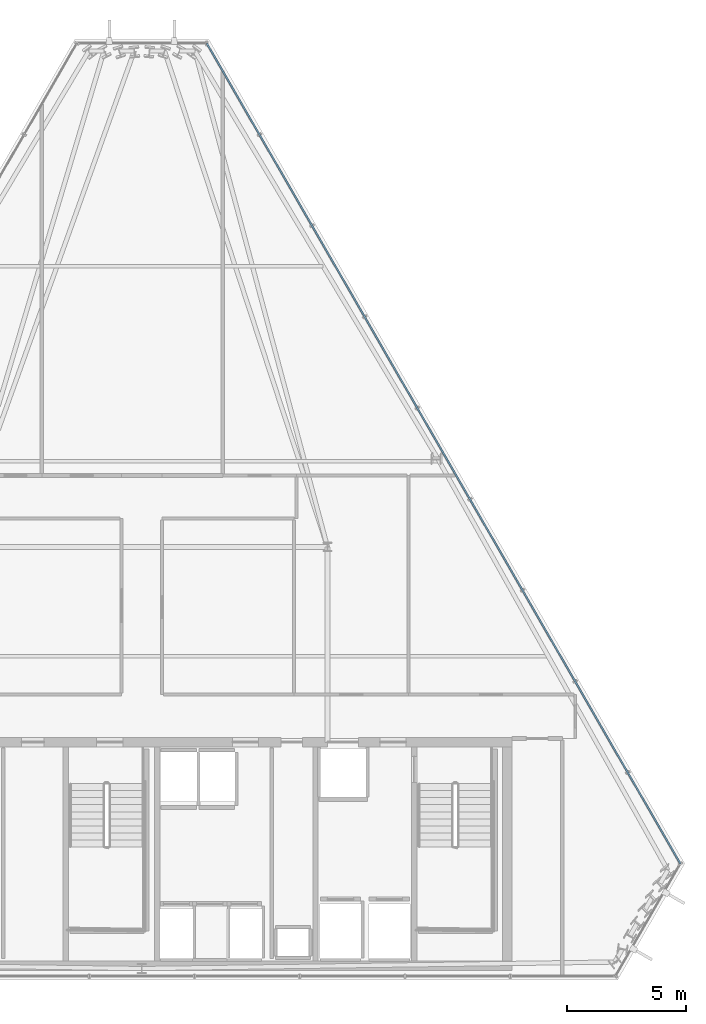
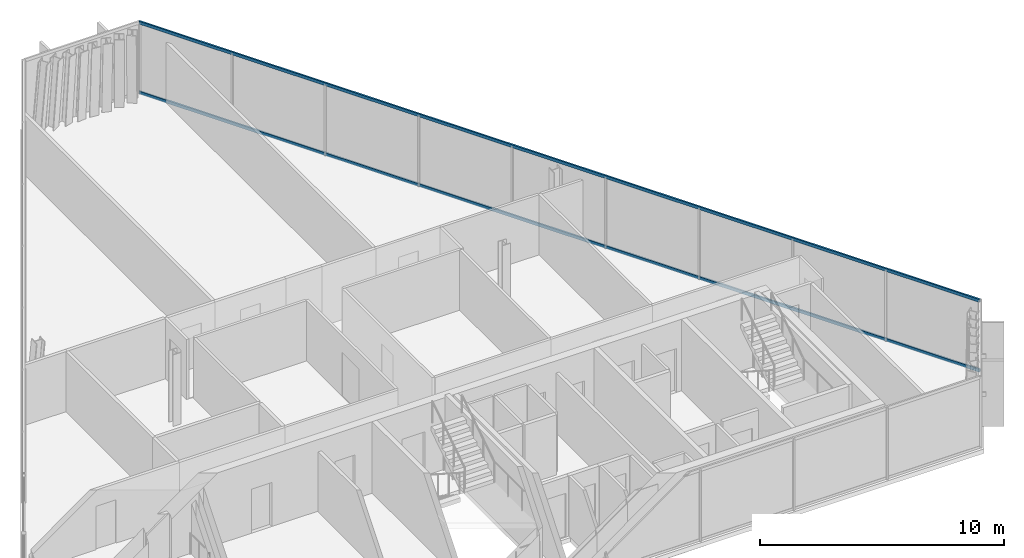
# One storey, part 25 of 34: 2 members, 1 element without a shape of its own.
"""IFC4 building model written with IfcOpenShell, lengths in metres."""

from ifc_helpers import new_model, si_unit, direction, frame, origin, origin_2d, place, context, subcontext, project, spatial, hollow_rectangle, extrude, material, layer, layer_set, material_profile, profile_set, type_object, element, aggregate, save


model = new_model("IFC4")

# Units and contexts
model_context = context("Model", 3, precision=1e-05, world=origin(), true_north=direction((0.0, 1.0)))
body_context = subcontext(model_context, "Body", "Model", "MODEL_VIEW")
ifc_project = project(units=[si_unit("LENGTHUNIT", "METRE"), si_unit("AREAUNIT", "SQUARE_METRE"), si_unit("VOLUMEUNIT", "CUBIC_METRE"), si_unit("PLANEANGLEUNIT", "RADIAN"), si_unit("MASSUNIT", "GRAM", prefix="KILO")], contexts=[model_context])

# Site, building, storey
site_placement = place(None, origin())
site = spatial("IfcSite", under=ifc_project, at=site_placement, CompositionType="ELEMENT")
building_placement = place(site_placement, origin())
building = spatial("IfcBuilding", under=site, at=building_placement, Name="Ndaravel Arena Tower", CompositionType="ELEMENT")
storey_placement = place(building_placement, frame((0.0, 0.0, 267.39990234375)))
storey = spatial("IfcBuildingStorey", under=building, at=storey_placement, Name="L65", CompositionType="ELEMENT", Elevation=267.39990234375)

# Curtain wall, members
ifc_material_1 = material(Name="Aluminium", Category="aluminium")
ifc_layer = layer(ifc_material_1, 0.179931640625)
ifc_layer_set = layer_set([ifc_layer], Name="Aluminium")
curtain_wall_type = type_object("IfcCurtainWallType", Name="CW-SYS-03", PredefinedType="NOTDEFINED", material=ifc_layer_set)
curtain_wall_placement = place(storey_placement, origin())
curtain_wall = element("IfcCurtainWall", 1, at=curtain_wall_placement, inside=storey, type_object=curtain_wall_type, Name="L65 Faceted Crystal Curtain Wall CW-L65-E03", PredefinedType="NOTDEFINED")
ifc_material_2 = material(Name="Aluminium", Category="aluminium")
ifc_material_profile = material_profile(ifc_material_2, hollow_rectangle(XDim=0.074951171875, YDim=0.14990234375, WallThickness=0.00390625, at=origin_2d()), Name="CW TRANSOM 75x150x4")
ifc_profile_set = profile_set([ifc_material_profile], Name="Aluminium")
member_type = type_object("IfcMemberType", Name="MEM-CW-TRN150", PredefinedType="USERDEFINED", material=ifc_profile_set)
member_1_placement = place(storey_placement, frame((64.631103515625, 9.888916015625, 0.0400390625), z_axis=(-0.499998378553, 0.866026339926, 0.0), x_axis=(-0.866026339926, -0.499998378553, 0.0)))
member_1 = element("IfcMember", 2, at=member_1_placement, type_object=member_type, Name="CW-L65-E03 Transom 01", ObjectType="TRANSOM", PredefinedType="USERDEFINED", context=body_context, shape_type="SweptSolid", body=[
    extrude(hollow_rectangle(XDim=0.074951171875, YDim=0.14990234375, WallThickness=0.00390625, at=origin_2d()), origin(), (0.0, 0.0, 1.0), 39.802001953125),
])
member_2_placement = place(storey_placement, frame((64.631103515625, 9.888916015625, 3.5400390625), z_axis=(-0.499998378553, 0.866026339926, 0.0), x_axis=(-0.866026339926, -0.499998378553, 0.0)))
member_2 = element("IfcMember", 3, at=member_2_placement, type_object=member_type, Name="CW-L65-E03 Transom 02", ObjectType="TRANSOM", PredefinedType="USERDEFINED", context=body_context, shape_type="SweptSolid", body=[
    extrude(hollow_rectangle(XDim=0.074951171875, YDim=0.14990234375, WallThickness=0.00390625, at=origin_2d()), origin(), (0.0, 0.0, 1.0), 39.802001953125),
])
aggregate(curtain_wall, [member_1, member_2])

save(model, "model.ifc")
